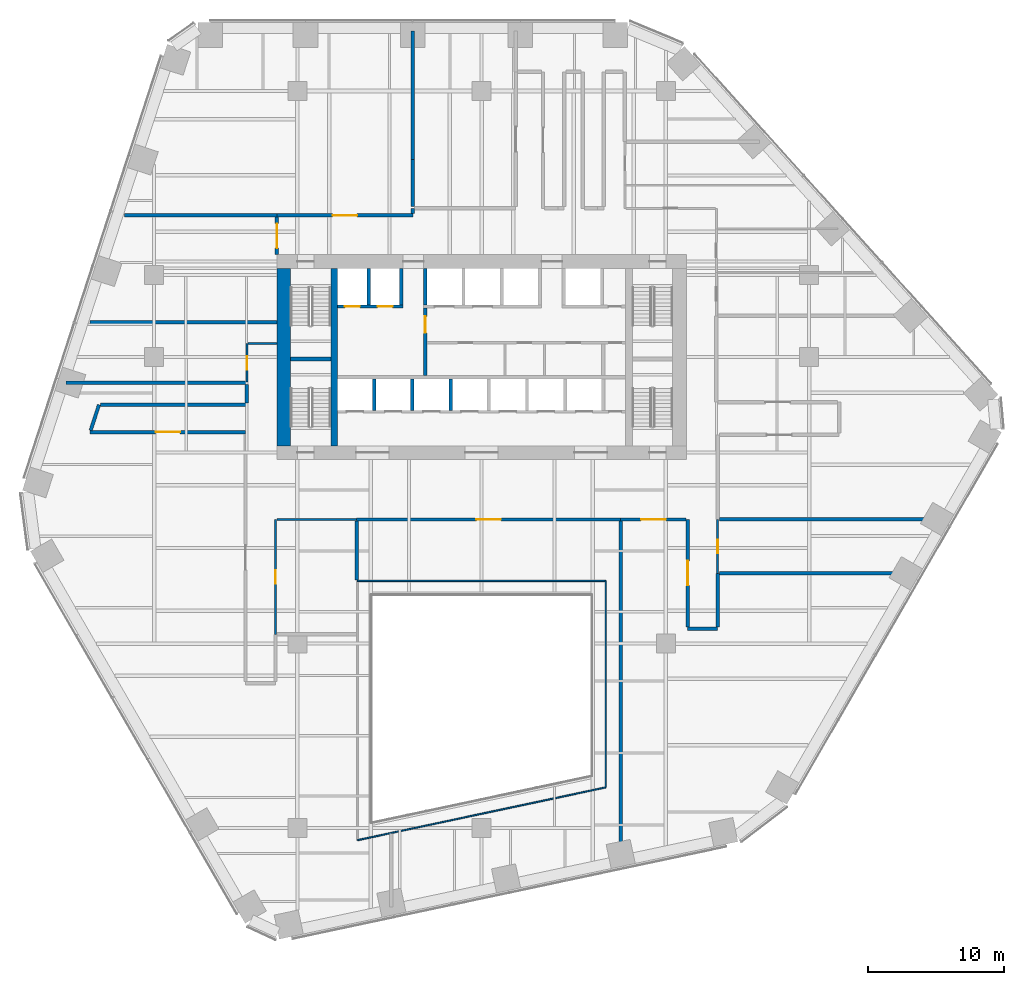
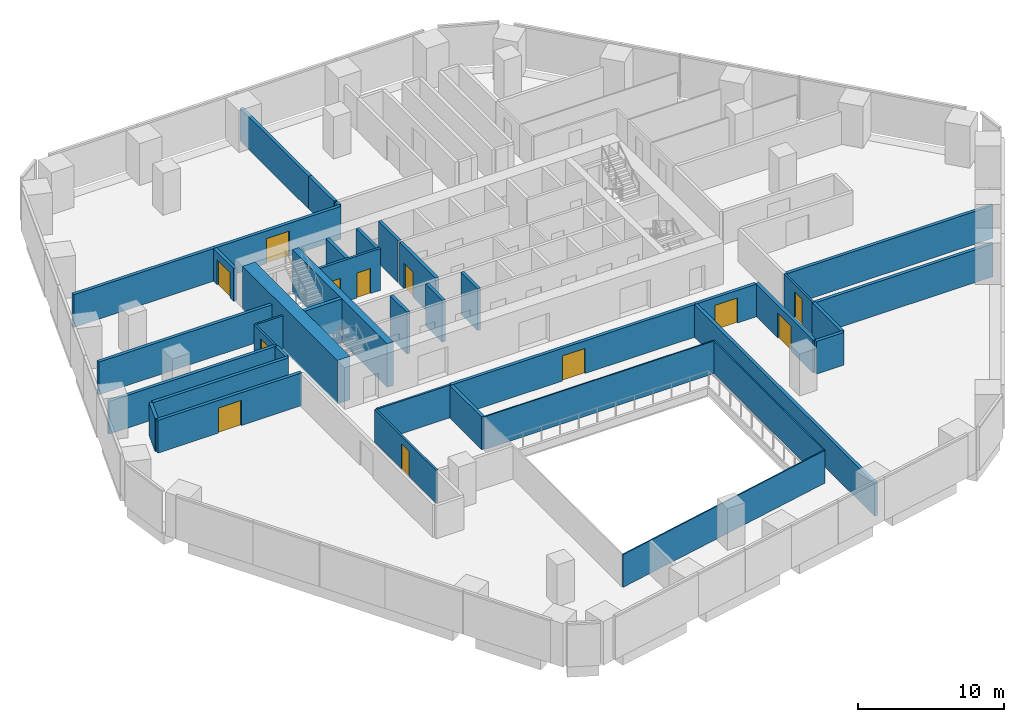
# One storey, part 14 of 21: 40 walls, 12 doors, 12 openings.
"""IFC4 building model written with IfcOpenShell, lengths in metres."""

from ifc_helpers import new_model, si_unit, direction, frame, frame_2d, origin, place, context, subcontext, project, spatial, rectangle, extrude, material, layer, layer_set, type_object, element, fill, save


model = new_model("IFC4")

# Units and contexts
model_context = context("Model", 3, precision=1e-05, world=origin(), true_north=direction((0.0, 1.0)))
body_context = subcontext(model_context, "Body", "Model", "MODEL_VIEW")
ifc_project = project(units=[si_unit("LENGTHUNIT", "METRE"), si_unit("AREAUNIT", "SQUARE_METRE"), si_unit("VOLUMEUNIT", "CUBIC_METRE"), si_unit("PLANEANGLEUNIT", "RADIAN"), si_unit("MASSUNIT", "GRAM", prefix="KILO")], contexts=[model_context])

# Site, building, storey
site_placement = place(None, origin())
site = spatial("IfcSite", under=ifc_project, at=site_placement, CompositionType="ELEMENT")
building_placement = place(site_placement, origin())
building = spatial("IfcBuilding", under=site, at=building_placement, Name="Isthmus Gate Tower", CompositionType="ELEMENT")
storey_placement = place(building_placement, frame((0.0, 0.0, 46.949951171875)))
storey = spatial("IfcBuildingStorey", under=building, at=storey_placement, Name="L09", CompositionType="ELEMENT", Elevation=46.949951171875)

# Wall, opening, door
ifc_material_1 = material(Name="Double-leaf acoustic stud wall, fire-rated", Category="gypsum")
ifc_layer_1 = layer(ifc_material_1, 0.25)
ifc_layer_set_1 = layer_set([ifc_layer_1], Name="ACOUSTIC WALL 250 60 MIN")
wall_type_1 = type_object("IfcWallType", Name="ACOUSTIC WALL 250 60 MIN", PredefinedType="PARTITIONING", material=ifc_layer_set_1)
wall_1_placement = place(storey_placement, frame((10.19189453125, -4.39990234375, 0.0), z_axis=(0.0, 0.0, 1.0), x_axis=(-1.0, 0.0, 0.0)))
wall_1 = element("IfcWall", 1, at=wall_1_placement, inside=storey, type_object=wall_type_1, Name="L09 Acoustic Wall 250 60 Min", PredefinedType="PARTITIONING", context=body_context, shape_type="SweptSolid", body=[
    extrude(rectangle(XDim=19.343994140625, YDim=0.25, at=frame_2d((9.671875, 0.0))), origin(), (0.0, 0.0, 1.0), 2.7412109375),
])
opening_1_placement = place(wall_1_placement, frame((8.77197265625, 0.0, 0.0)))
opening_1 = element("IfcOpeningElement", 2, at=opening_1_placement, cuts=wall_1, Name="Opening DT-T1B-16", PredefinedType="OPENING", context=body_context, shape_type="SweptSolid", body=[
    extrude(rectangle(XDim=1.800048828125, YDim=2.10009765625, at=frame_2d((0.89990234375, 1.050048828125))), frame((0.0, 0.135009765625, 0.0), z_axis=(0.0, -1.0, 0.0), x_axis=(1.0, 0.0, 0.0)), (0.0, 0.0, 1.0), 0.27001953125),
])
ifc_material_2 = material(Name="Solid core timber door leaf, fire-rated", Category="wood")
door_type_1 = type_object("IfcDoorType", Name="FIRE DOOR ACOUSTIC ROOM 1800 X 2100 60 MIN", OperationType="DOUBLE_DOOR_DOUBLE_SWING", PredefinedType="DOOR", material=ifc_material_2)
door_1_placement = place(opening_1_placement, origin())
door_1 = element("IfcDoor", 3, at=door_1_placement, inside=storey, type_object=door_type_1, Name="L09 room door", OperationType="DOUBLE_DOOR_DOUBLE_SWING", OverallHeight=2.10009765625, OverallWidth=1.800048828125, PredefinedType="DOOR", context=body_context, shape_type="SweptSolid", body=[
    extrude(rectangle(XDim=1.800048828125, YDim=2.10009765625, at=frame_2d((0.89990234375, 1.050048828125))), frame((0.0, 0.02490234375, 0.0), z_axis=(0.0, -1.0, 0.0), x_axis=(1.0, 0.0, 0.0)), (0.0, 0.0, 1.0), 0.050048828125),
])
fill(opening_1, door_1)

wall_2_placement = place(storey_placement, frame((14.97509765625, -4.39990234375, 0.0), z_axis=(0.0, 0.0, 1.0), x_axis=(-1.0, 0.0, 0.0)))
wall_2 = element("IfcWall", 4, at=wall_2_placement, inside=storey, type_object=wall_type_1, Name="L09 Acoustic Wall 250 60 Min", PredefinedType="PARTITIONING", context=body_context, shape_type="SweptSolid", body=[
    extrude(rectangle(XDim=4.783203125, YDim=0.25, at=frame_2d((2.3916015625, 0.0))), origin(), (0.0, 0.0, 1.0), 2.7412109375),
])
opening_2_placement = place(wall_2_placement, frame((1.47900390625, 0.0, 0.0)))
opening_2 = element("IfcOpeningElement", 5, at=opening_2_placement, cuts=wall_2, Name="Opening DT-T1B-18", PredefinedType="OPENING", context=body_context, shape_type="SweptSolid", body=[
    extrude(rectangle(XDim=1.800048828125, YDim=2.10009765625, at=frame_2d((0.89990234375, 1.050048828125))), frame((0.0, 0.135009765625, 0.0), z_axis=(0.0, -1.0, 0.0), x_axis=(1.0, 0.0, 0.0)), (0.0, 0.0, 1.0), 0.27001953125),
])
door_2_placement = place(opening_2_placement, origin())
door_2 = element("IfcDoor", 6, at=door_2_placement, inside=storey, type_object=door_type_1, Name="L09 room door", OperationType="DOUBLE_DOOR_DOUBLE_SWING", OverallHeight=2.10009765625, OverallWidth=1.800048828125, PredefinedType="DOOR", context=body_context, shape_type="SweptSolid", body=[
    extrude(rectangle(XDim=1.800048828125, YDim=2.10009765625, at=frame_2d((0.89990234375, 1.050048828125))), frame((0.0, 0.02490234375, 0.0), z_axis=(0.0, -1.0, 0.0), x_axis=(1.0, 0.0, 0.0)), (0.0, 0.0, 1.0), 0.050048828125),
])
fill(opening_2, door_2)

# Walls
wall_3_placement = place(storey_placement, frame((17.300048828125, -12.39990234375, 0.0), z_axis=(0.0, 0.0, 1.0), x_axis=(-1.0, 0.0, 0.0)))
element("IfcWall", 7, at=wall_3_placement, inside=storey, type_object=wall_type_1, Name="L09 Acoustic Wall 250 60 Min", PredefinedType="PARTITIONING", context=body_context, shape_type="SweptSolid", body=[
    extrude(rectangle(XDim=2.199951171875, YDim=0.25, at=frame_2d((1.10009765625, 0.0))), origin(), (0.0, 0.0, 1.0), 2.7412109375),
])
wall_4_placement = place(storey_placement, frame((17.300048828125, -8.35009765625, 0.0), z_axis=(0.0, 0.0, 1.0), x_axis=(0.0, -1.0, 0.0)))
element("IfcWall", 8, at=wall_4_placement, inside=storey, type_object=wall_type_1, Name="L09 Acoustic Wall 250 60 Min", PredefinedType="PARTITIONING", context=body_context, shape_type="SweptSolid", body=[
    extrude(rectangle(XDim=3.9248046875, YDim=0.25, at=frame_2d((1.96240234375, 0.0))), origin(), (0.0, 0.0, 1.0), 2.7412109375),
])

# Wall, opening, door
wall_5_placement = place(storey_placement, frame((-17.300048828125, 2.0, 0.0), z_axis=(0.0, 0.0, 1.0), x_axis=(-1.0, 0.0, 0.0)))
wall_5 = element("IfcWall", 9, at=wall_5_placement, inside=storey, type_object=wall_type_1, Name="L09 Acoustic Wall 250 60 Min", PredefinedType="PARTITIONING", context=body_context, shape_type="SweptSolid", body=[
    extrude(rectangle(XDim=11.386962890625, YDim=0.25, at=frame_2d((5.693359375, 0.0))), origin(), (0.0, 0.0, 1.0), 2.7412109375),
])
opening_3_placement = place(wall_5_placement, frame((4.79345703125, 0.0, 0.0)))
opening_3 = element("IfcOpeningElement", 10, at=opening_3_placement, cuts=wall_5, Name="Opening DT-T1B-15", PredefinedType="OPENING", context=body_context, shape_type="SweptSolid", body=[
    extrude(rectangle(XDim=1.800048828125, YDim=2.10009765625, at=frame_2d((0.89990234375, 1.050048828125))), frame((0.0, 0.135009765625, 0.0), z_axis=(0.0, -1.0, 0.0), x_axis=(1.0, 0.0, 0.0)), (0.0, 0.0, 1.0), 0.27001953125),
])
door_3_placement = place(opening_3_placement, origin())
door_3 = element("IfcDoor", 11, at=door_3_placement, inside=storey, type_object=door_type_1, Name="L09 room door", OperationType="DOUBLE_DOOR_DOUBLE_SWING", OverallHeight=2.10009765625, OverallWidth=1.800048828125, PredefinedType="DOOR", context=body_context, shape_type="SweptSolid", body=[
    extrude(rectangle(XDim=1.800048828125, YDim=2.10009765625, at=frame_2d((0.89990234375, 1.050048828125))), frame((0.0, 0.02490234375, 0.0), z_axis=(0.0, -1.0, 0.0), x_axis=(1.0, 0.0, 0.0)), (0.0, 0.0, 1.0), 0.050048828125),
])
fill(opening_3, door_3)

wall_6_placement = place(storey_placement, frame((-15.0, 17.881103515625, 0.0), z_axis=(0.0, 0.0, 1.0), x_axis=(0.999999975691, -0.000220496356, 0.0)))
wall_6 = element("IfcWall", 12, at=wall_6_placement, inside=storey, type_object=wall_type_1, Name="L09 Acoustic Wall 250 60 Min", PredefinedType="PARTITIONING", context=body_context, shape_type="SweptSolid", body=[
    extrude(rectangle(XDim=9.965087890625, YDim=0.25, at=frame_2d((4.982421875, 0.0))), origin(), (0.0, 0.0, 1.0), 2.7412109375),
])
opening_4_placement = place(wall_6_placement, frame((4.08251953125, 0.0, 0.0)))
opening_4 = element("IfcOpeningElement", 13, at=opening_4_placement, cuts=wall_6, Name="Opening DT-T1B-01", PredefinedType="OPENING", context=body_context, shape_type="SweptSolid", body=[
    extrude(rectangle(XDim=1.800048828125, YDim=2.10009765625, at=frame_2d((0.89990234375, 1.050048828125))), frame((0.0, 0.135009765625, 0.0), z_axis=(0.0, -1.0, 0.0), x_axis=(1.0, 0.0, 0.0)), (0.0, 0.0, 1.0), 0.27001953125),
])
door_4_placement = place(opening_4_placement, origin())
door_4 = element("IfcDoor", 14, at=door_4_placement, inside=storey, type_object=door_type_1, Name="L09 room door", OperationType="DOUBLE_DOOR_DOUBLE_SWING", OverallHeight=2.10009765625, OverallWidth=1.800048828125, PredefinedType="DOOR", context=body_context, shape_type="SweptSolid", body=[
    extrude(rectangle(XDim=1.800048828125, YDim=2.10009765625, at=frame_2d((0.89990234375, 1.050048828125))), frame((0.0, 0.02490234375, 0.0), z_axis=(0.0, -1.0, 0.0), x_axis=(1.0, 0.0, 0.0)), (0.0, 0.0, 1.0), 0.050048828125),
])
fill(opening_4, door_4)

# Walls
wall_7_placement = place(storey_placement, frame((-5.034912109375, 18.00390625, 0.0), z_axis=(0.0, 0.0, 1.0), x_axis=(0.0, 1.0, 0.0)))
element("IfcWall", 15, at=wall_7_placement, inside=storey, type_object=wall_type_1, Name="L09 Acoustic Wall 250 60 Min", PredefinedType="PARTITIONING", context=body_context, shape_type="SweptSolid", body=[
    extrude(rectangle(XDim=0.39599609375, YDim=0.25, at=frame_2d((0.197998046875, 0.0))), origin(), (0.0, 0.0, 1.0), 2.7412109375),
])
wall_8_placement = place(storey_placement, frame((-5.037109375, 21.968017578125, 0.0), z_axis=(0.0, 0.0, 1.0), x_axis=(0.0, 1.0, 0.0)))
element("IfcWall", 16, at=wall_8_placement, inside=storey, type_object=wall_type_1, Name="L09 Acoustic Wall 250 60 Min", PredefinedType="PARTITIONING", context=body_context, shape_type="SweptSolid", body=[
    extrude(rectangle(XDim=9.431884765625, YDim=0.25, at=frame_2d((4.7158203125, 0.0))), origin(), (0.0, 0.0, 1.0), 2.7412109375),
])
wall_9_placement = place(storey_placement, frame((-26.169921875, 17.8828125, 0.0), z_axis=(0.0, 0.0, 1.0), x_axis=(0.999999988296, -0.000152998774, 0.0)))
element("IfcWall", 17, at=wall_9_placement, inside=storey, type_object=wall_type_1, Name="L09 Acoustic Wall 250 60 Min", PredefinedType="PARTITIONING", context=body_context, shape_type="SweptSolid", body=[
    extrude(rectangle(XDim=11.169921875, YDim=0.25, at=frame_2d((5.5849609375, 0.0))), origin(), (0.0, 0.0, 1.0), 2.7412109375),
])
wall_10_placement = place(storey_placement, frame((-5.037109375, 21.968017578125, 0.0), z_axis=(0.0, 0.0, 1.0), x_axis=(0.000567255103, -0.999999839111, 0.0)))
element("IfcWall", 18, at=wall_10_placement, inside=storey, type_object=wall_type_1, Name="L09 Acoustic Wall 250 60 Min", PredefinedType="PARTITIONING", context=body_context, shape_type="SweptSolid", body=[
    extrude(rectangle(XDim=3.443115234375, YDim=0.25, at=frame_2d((1.7216796875, 0.0))), origin(), (0.0, 0.0, 1.0), 2.7412109375),
])

# Wall, opening, door
wall_11_placement = place(storey_placement, frame((-15.001953125, 14.998046875, 0.0), z_axis=(0.0, 0.0, 1.0), x_axis=(0.000708152429, 0.99999974926, 0.0)))
wall_11 = element("IfcWall", 19, at=wall_11_placement, inside=storey, type_object=wall_type_1, Name="L09 Acoustic Wall 250 60 Min", PredefinedType="PARTITIONING", context=body_context, shape_type="SweptSolid", body=[
    extrude(rectangle(XDim=2.758056640625, YDim=0.25, at=frame_2d((1.37890625, 0.0))), origin(), (0.0, 0.0, 1.0), 2.7412109375),
])
opening_5_placement = place(wall_11_placement, frame((0.47900390625, 0.0, 0.0)))
opening_5 = element("IfcOpeningElement", 20, at=opening_5_placement, cuts=wall_11, Name="Opening DT-T1B-07", PredefinedType="OPENING", context=body_context, shape_type="SweptSolid", body=[
    extrude(rectangle(XDim=1.800048828125, YDim=2.10009765625, at=frame_2d((0.89990234375, 1.050048828125))), frame((0.0, 0.135009765625, 0.0), z_axis=(0.0, -1.0, 0.0), x_axis=(1.0, 0.0, 0.0)), (0.0, 0.0, 1.0), 0.27001953125),
])
door_5_placement = place(opening_5_placement, origin())
door_5 = element("IfcDoor", 21, at=door_5_placement, inside=storey, type_object=door_type_1, Name="L09 room door", OperationType="DOUBLE_DOOR_DOUBLE_SWING", OverallHeight=2.10009765625, OverallWidth=1.800048828125, PredefinedType="DOOR", context=body_context, shape_type="SweptSolid", body=[
    extrude(rectangle(XDim=1.800048828125, YDim=2.10009765625, at=frame_2d((0.89990234375, 1.050048828125))), frame((0.0, 0.02490234375, 0.0), z_axis=(0.0, -1.0, 0.0), x_axis=(1.0, 0.0, 0.0)), (0.0, 0.0, 1.0), 0.050048828125),
])
fill(opening_5, door_5)

# Walls
wall_12_placement = place(storey_placement, frame((-28.714111328125, 10.052001953125, 0.0), z_axis=(0.0, 0.0, 1.0), x_axis=(1.0, 0.0, 0.0)))
element("IfcWall", 22, at=wall_12_placement, inside=storey, type_object=wall_type_1, Name="L09 Acoustic Wall 250 60 Min", PredefinedType="PARTITIONING", context=body_context, shape_type="SweptSolid", body=[
    extrude(rectangle(XDim=13.714111328125, YDim=0.25, at=frame_2d((6.85693359375, 0.0))), origin(), (0.0, 0.0, 1.0), 2.7412109375),
])
wall_13_placement = place(storey_placement, frame((-30.450927734375, 5.6298828125, 0.0), z_axis=(0.0, 0.0, 1.0), x_axis=(1.0, 0.0, 0.0)))
element("IfcWall", 23, at=wall_13_placement, inside=storey, type_object=wall_type_1, Name="L09 Acoustic Wall 250 60 Min", PredefinedType="PARTITIONING", context=body_context, shape_type="SweptSolid", body=[
    extrude(rectangle(XDim=13.176025390625, YDim=0.25, at=frame_2d((6.587890625, 0.0))), origin(), (0.0, 0.0, 1.0), 2.7412109375),
])
wall_14_placement = place(storey_placement, frame((17.427001953125, -4.3720703125, 0.0), z_axis=(0.0, 0.0, 1.0), x_axis=(1.0, 0.0, 0.0)))
element("IfcWall", 24, at=wall_14_placement, inside=storey, type_object=wall_type_1, Name="L09 Acoustic Wall 250 60 Min", PredefinedType="PARTITIONING", context=body_context, shape_type="SweptSolid", body=[
    extrude(rectangle(XDim=16.305908203125, YDim=0.25, at=frame_2d((8.15283203125, 0.0))), origin(), (0.0, 0.0, 1.0), 2.7412109375),
])
wall_15_placement = place(storey_placement, frame((-9.152099609375, -8.85205078125, 0.0), z_axis=(0.0, 0.0, 1.0), x_axis=(0.0, 1.0, 0.0)))
element("IfcWall", 25, at=wall_15_placement, inside=storey, type_object=wall_type_1, Name="L09 Acoustic Wall 250 60 Min", PredefinedType="PARTITIONING", context=body_context, shape_type="SweptSolid", body=[
    extrude(rectangle(XDim=4.3271484375, YDim=0.25, at=frame_2d((2.16357421875, 0.0))), origin(), (0.0, 0.0, 1.0), 2.7412109375),
])
wall_16_placement = place(storey_placement, frame((17.425048828125, -8.35009765625, 0.0), z_axis=(0.0, 0.0, 1.0), x_axis=(1.0, 0.0, 0.0)))
element("IfcWall", 26, at=wall_16_placement, inside=storey, type_object=wall_type_1, Name="L09 Acoustic Wall 250 60 Min", PredefinedType="PARTITIONING", context=body_context, shape_type="SweptSolid", body=[
    extrude(rectangle(XDim=14.011962890625, YDim=0.25, at=frame_2d((7.005859375, 0.0))), origin(), (0.0, 0.0, 1.0), 2.7412109375),
])
wall_17_placement = place(storey_placement, frame((-28.646484375, 2.125, 0.0), z_axis=(0.0, 0.0, 1.0), x_axis=(0.309086072338, 0.951034068731, 0.0)))
element("IfcWall", 27, at=wall_17_placement, inside=storey, type_object=wall_type_1, Name="L09 Acoustic Wall 250 60 Min", PredefinedType="PARTITIONING", context=body_context, shape_type="SweptSolid", body=[
    extrude(rectangle(XDim=1.971435546875, YDim=0.25, at=frame_2d((0.98583984375, 0.0))), origin(), (0.0, 0.0, 1.0), 2.7412109375),
])
wall_18_placement = place(storey_placement, frame((-27.912109375, 4.0, 0.0), z_axis=(0.0, 0.0, 1.0), x_axis=(1.0, 0.0, 0.0)))
element("IfcWall", 28, at=wall_18_placement, inside=storey, type_object=wall_type_1, Name="L09 Acoustic Wall 250 60 Min", PredefinedType="PARTITIONING", context=body_context, shape_type="SweptSolid", body=[
    extrude(rectangle(XDim=10.712158203125, YDim=0.25, at=frame_2d((5.35595703125, 0.0))), origin(), (0.0, 0.0, 1.0), 2.7412109375),
])
wall_19_placement = place(storey_placement, frame((-17.199951171875, 4.125, 0.0), z_axis=(0.0, 0.0, 1.0), x_axis=(0.0, 1.0, 0.0)))
element("IfcWall", 29, at=wall_19_placement, inside=storey, type_object=wall_type_1, Name="L09 Acoustic Wall 250 60 Min", PredefinedType="PARTITIONING", context=body_context, shape_type="SweptSolid", body=[
    extrude(rectangle(XDim=1.3798828125, YDim=0.25, at=frame_2d((0.68994140625, 0.0))), origin(), (0.0, 0.0, 1.0), 2.7412109375),
])
wall_20_placement = place(storey_placement, frame((10.19189453125, -29.219970703125, 0.0), z_axis=(0.0, 0.0, 1.0), x_axis=(0.0, 1.0, 0.0)))
element("IfcWall", 30, at=wall_20_placement, inside=storey, type_object=wall_type_1, Name="L09 Acoustic Wall 250 60 Min", PredefinedType="PARTITIONING", context=body_context, shape_type="SweptSolid", body=[
    extrude(rectangle(XDim=24.695068359375, YDim=0.25, at=frame_2d((12.34765625, 0.0))), origin(), (0.0, 0.0, 1.0), 2.7412109375),
])

# Wall, opening, door
wall_21_placement = place(storey_placement, frame((15.10009765625, -12.27490234375, 0.0), z_axis=(0.0, 0.0, 1.0), x_axis=(0.0, 1.0, 0.0)))
wall_21 = element("IfcWall", 31, at=wall_21_placement, inside=storey, type_object=wall_type_1, Name="L09 Acoustic Wall 250 60 Min", PredefinedType="PARTITIONING", context=body_context, shape_type="SweptSolid", body=[
    extrude(rectangle(XDim=7.875, YDim=0.25, at=frame_2d((3.9375, 0.0))), origin(), (0.0, 0.0, 1.0), 2.7412109375),
])
opening_6_placement = place(wall_21_placement, frame((3.03759765625, 0.0, 0.0)))
opening_6 = element("IfcOpeningElement", 32, at=opening_6_placement, cuts=wall_21, Name="Opening DT-T1B-17", PredefinedType="OPENING", context=body_context, shape_type="SweptSolid", body=[
    extrude(rectangle(XDim=1.800048828125, YDim=2.10009765625, at=frame_2d((0.89990234375, 1.050048828125))), frame((0.0, 0.135009765625, 0.0), z_axis=(0.0, -1.0, 0.0), x_axis=(1.0, 0.0, 0.0)), (0.0, 0.0, 1.0), 0.27001953125),
])
door_6_placement = place(opening_6_placement, origin())
door_6 = element("IfcDoor", 33, at=door_6_placement, inside=storey, type_object=door_type_1, Name="L09 room door", OperationType="DOUBLE_DOOR_DOUBLE_SWING", OverallHeight=2.10009765625, OverallWidth=1.800048828125, PredefinedType="DOOR", context=body_context, shape_type="SweptSolid", body=[
    extrude(rectangle(XDim=1.800048828125, YDim=2.10009765625, at=frame_2d((0.89990234375, 1.050048828125))), frame((0.0, 0.02490234375, 0.0), z_axis=(0.0, -1.0, 0.0), x_axis=(1.0, 0.0, 0.0)), (0.0, 0.0, 1.0), 0.050048828125),
])
fill(opening_6, door_6)

# Walls
ifc_material_3 = material(Name="Fire-rated laminated glass in steel frame", Category="steel")
ifc_layer_2 = layer(ifc_material_3, 0.10009765625)
ifc_layer_set_2 = layer_set([ifc_layer_2], Name="ATRIUM SCREEN GLAZED WALL 100 120 MIN")
wall_type_2 = type_object("IfcWallType", Name="ATRIUM SCREEN GLAZED WALL 100 120 MIN", PredefinedType="PARTITIONING", material=ifc_layer_set_2)
wall_22_placement = place(storey_placement, frame((-9.10009765625, -8.89990234375, 0.0), z_axis=(0.0, 0.0, 1.0), x_axis=(1.0, 0.0, 0.0)))
element("IfcWall", 34, at=wall_22_placement, inside=storey, type_object=wall_type_2, Name="L09 atrium screen", PredefinedType="PARTITIONING", context=body_context, shape_type="SweptSolid", body=[
    extrude(rectangle(XDim=18.2001953125, YDim=0.10009765625, at=frame_2d((9.10009765625, 0.0))), origin(), (0.0, 0.0, 1.0), 2.7412109375),
])
wall_23_placement = place(storey_placement, frame((9.10009765625, -8.89990234375, 0.0), z_axis=(0.0, 0.0, 1.0), x_axis=(0.0, -1.0, 0.0)))
element("IfcWall", 35, at=wall_23_placement, inside=storey, type_object=wall_type_2, Name="L09 atrium screen", PredefinedType="PARTITIONING", context=body_context, shape_type="SweptSolid", body=[
    extrude(rectangle(XDim=15.134033203125, YDim=0.10009765625, at=frame_2d((7.56689453125, 0.0))), origin(), (0.0, 0.0, 1.0), 2.7412109375),
])
wall_24_placement = place(storey_placement, frame((9.10009765625, -24.033935546875, 0.0), z_axis=(0.0, 0.0, 1.0), x_axis=(-0.978146710971, -0.207915876778, 0.0)))
element("IfcWall", 36, at=wall_24_placement, inside=storey, type_object=wall_type_2, Name="L09 atrium screen", PredefinedType="PARTITIONING", context=body_context, shape_type="SweptSolid", body=[
    extrude(rectangle(XDim=18.60693359375, YDim=0.10009765625, at=frame_2d((9.303466796875, 0.0))), origin(), (0.0, 0.0, 1.0), 2.7412109375),
])
ifc_material_4 = material(Name="Gypsum board on steel studs, fire-rated", Category="steel")
ifc_layer_3 = layer(ifc_material_4, 0.14990234375)
ifc_layer_set_3 = layer_set([ifc_layer_3], Name="CORRIDOR WALL 150 60 MIN")
wall_type_3 = type_object("IfcWallType", Name="CORRIDOR WALL 150 60 MIN", PredefinedType="PARTITIONING", material=ifc_layer_set_3)
wall_25_placement = place(storey_placement, frame((-9.152099609375, -4.39990234375, 0.0), z_axis=(0.0, 0.0, 1.0), x_axis=(-1.0, 0.0, 0.0)))
element("IfcWall", 37, at=wall_25_placement, inside=storey, type_object=wall_type_3, Name="L09 Corridor Wall 150 60 Min", PredefinedType="PARTITIONING", context=body_context, shape_type="SweptSolid", body=[
    extrude(rectangle(XDim=5.847900390625, YDim=0.14990234375, at=frame_2d((2.923828125, 0.0))), origin(), (0.0, 0.0, 1.0), 2.7412109375),
])

# Wall, opening, door
wall_26_placement = place(storey_placement, frame((17.300048828125, -4.389892578125, 0.0), z_axis=(0.0, 0.0, 1.0), x_axis=(0.0, -1.0, 0.0)))
wall_26 = element("IfcWall", 38, at=wall_26_placement, inside=storey, type_object=wall_type_3, Name="L09 Corridor Wall 150 60 Min", PredefinedType="PARTITIONING", context=body_context, shape_type="SweptSolid", body=[
    extrude(rectangle(XDim=3.960205078125, YDim=0.14990234375, at=frame_2d((1.97998046875, 0.0))), origin(), (0.0, 0.0, 1.0), 2.7412109375),
])
opening_7_placement = place(wall_26_placement, frame((1.47998046875, 0.0, 0.0)))
opening_7 = element("IfcOpeningElement", 39, at=opening_7_placement, cuts=wall_26, Name="Opening DT-T1B-13", PredefinedType="OPENING", context=body_context, shape_type="SweptSolid", body=[
    extrude(rectangle(XDim=1.0, YDim=2.10009765625, at=frame_2d((0.5, 1.050048828125))), frame((0.0, 0.0849609375, 0.0), z_axis=(0.0, -1.0, 0.0), x_axis=(1.0, 0.0, 0.0)), (0.0, 0.0, 1.0), 0.169921875),
])
ifc_material_5 = material(Name="Solid core timber door leaf, fire-rated", Category="wood")
door_type_2 = type_object("IfcDoorType", Name="FIRE DOOR ROOM 1000 X 2100 60 MIN", OperationType="SINGLE_SWING_LEFT", PredefinedType="DOOR", material=ifc_material_5)
door_7_placement = place(opening_7_placement, origin())
door_7 = element("IfcDoor", 40, at=door_7_placement, inside=storey, type_object=door_type_2, Name="L09 room door", OperationType="SINGLE_SWING_RIGHT", OverallHeight=2.10009765625, OverallWidth=1.0, PredefinedType="DOOR", context=body_context, shape_type="SweptSolid", body=[
    extrude(rectangle(XDim=1.0, YDim=2.10009765625, at=frame_2d((0.5, 1.050048828125))), frame((0.0, 0.02490234375, 0.0), z_axis=(0.0, -1.0, 0.0), x_axis=(1.0, 0.0, 0.0)), (0.0, 0.0, 1.0), 0.050048828125),
])
fill(opening_7, door_7)

wall_27_placement = place(storey_placement, frame((-15.10009765625, -4.39990234375, 0.0), z_axis=(0.0, 0.0, 1.0), x_axis=(0.0, -1.0, 0.0)))
wall_27 = element("IfcWall", 41, at=wall_27_placement, inside=storey, type_object=wall_type_3, Name="L09 Corridor Wall 150 60 Min", PredefinedType="PARTITIONING", context=body_context, shape_type="SweptSolid", body=[
    extrude(rectangle(XDim=8.426025390625, YDim=0.14990234375, at=frame_2d((4.212890625, 0.0))), origin(), (0.0, 0.0, 1.0), 2.7412109375),
])
opening_8_placement = place(wall_27_placement, frame((3.712890625, 0.0, 0.0)))
opening_8 = element("IfcOpeningElement", 42, at=opening_8_placement, cuts=wall_27, Name="Opening DT-T1B-12", PredefinedType="OPENING", context=body_context, shape_type="SweptSolid", body=[
    extrude(rectangle(XDim=1.0, YDim=2.10009765625, at=frame_2d((0.5, 1.050048828125))), frame((0.0, 0.0849609375, 0.0), z_axis=(0.0, -1.0, 0.0), x_axis=(1.0, 0.0, 0.0)), (0.0, 0.0, 1.0), 0.169921875),
])
door_8_placement = place(opening_8_placement, origin())
door_8 = element("IfcDoor", 43, at=door_8_placement, inside=storey, type_object=door_type_2, Name="L09 room door", OperationType="SINGLE_SWING_RIGHT", OverallHeight=2.10009765625, OverallWidth=1.0, PredefinedType="DOOR", context=body_context, shape_type="SweptSolid", body=[
    extrude(rectangle(XDim=1.0, YDim=2.10009765625, at=frame_2d((0.5, 1.050048828125))), frame((0.0, 0.02490234375, 0.0), z_axis=(0.0, -1.0, 0.0), x_axis=(1.0, 0.0, 0.0)), (0.0, 0.0, 1.0), 0.050048828125),
])
fill(opening_8, door_8)

wall_28_placement = place(storey_placement, frame((-17.199951171875, 5.679931640625, 0.0), z_axis=(0.0, 0.0, 1.0), x_axis=(0.0, 1.0, 0.0)))
wall_28 = element("IfcWall", 44, at=wall_28_placement, inside=storey, type_object=wall_type_3, Name="L09 Corridor Wall 150 60 Min", PredefinedType="PARTITIONING", context=body_context, shape_type="SweptSolid", body=[
    extrude(rectangle(XDim=2.820068359375, YDim=0.14990234375, at=frame_2d((1.41015625, 0.0))), origin(), (0.0, 0.0, 1.0), 2.7412109375),
])
opening_9_placement = place(wall_28_placement, frame((0.885009765625, 0.0, 0.0)))
opening_9 = element("IfcOpeningElement", 45, at=opening_9_placement, cuts=wall_28, Name="Opening DT-T1B-09", PredefinedType="OPENING", context=body_context, shape_type="SweptSolid", body=[
    extrude(rectangle(XDim=1.0, YDim=2.10009765625, at=frame_2d((0.5, 1.050048828125))), frame((0.0, 0.0849609375, 0.0), z_axis=(0.0, -1.0, 0.0), x_axis=(1.0, 0.0, 0.0)), (0.0, 0.0, 1.0), 0.169921875),
])
door_9_placement = place(opening_9_placement, origin())
door_9 = element("IfcDoor", 46, at=door_9_placement, inside=storey, type_object=door_type_2, Name="L09 room door", OperationType="SINGLE_SWING_RIGHT", OverallHeight=2.10009765625, OverallWidth=1.0, PredefinedType="DOOR", context=body_context, shape_type="SweptSolid", body=[
    extrude(rectangle(XDim=1.0, YDim=2.10009765625, at=frame_2d((0.5, 1.050048828125))), frame((0.0, 0.02490234375, 0.0), z_axis=(0.0, -1.0, 0.0), x_axis=(1.0, 0.0, 0.0)), (0.0, 0.0, 1.0), 0.050048828125),
])
fill(opening_9, door_9)

# Wall
wall_29_placement = place(storey_placement, frame((-17.125, 8.5, 0.0), z_axis=(0.0, 0.0, 1.0), x_axis=(1.0, 0.0, 0.0)))
element("IfcWall", 47, at=wall_29_placement, inside=storey, type_object=wall_type_3, Name="L09 Corridor Wall 150 60 Min", PredefinedType="PARTITIONING", context=body_context, shape_type="SweptSolid", body=[
    extrude(rectangle(XDim=2.125, YDim=0.14990234375, at=frame_2d((1.0625, 0.0))), origin(), (0.0, 0.0, 1.0), 2.7412109375),
])

# Wall, opening, door
ifc_material_6 = material(Name="Fire-rated blockwork masonry, 15 MPa", Category="masonry")
ifc_layer_4 = layer(ifc_material_6, 0.25)
ifc_layer_set_4 = layer_set([ifc_layer_4], Name="FIRE-FIGHTING LOBBY WALL 250 90 MIN")
wall_type_4 = type_object("IfcWallType", Name="FIRE-FIGHTING LOBBY WALL 250 90 MIN", PredefinedType="PARTITIONING", material=ifc_layer_set_4)
wall_30_placement = place(storey_placement, frame((-4.125, 6.14990234375, 0.0), z_axis=(0.0, 0.0, 1.0), x_axis=(0.0, 1.0, 0.0)))
wall_30 = element("IfcWall", 48, at=wall_30_placement, inside=storey, type_object=wall_type_4, Name="L09 FIRE-FIGHTING LOBBY WALL 250 90 MIN", PredefinedType="PARTITIONING", context=body_context, shape_type="SweptSolid", body=[
    extrude(rectangle(XDim=4.9501953125, YDim=0.25, at=frame_2d((2.47509765625, 0.0))), origin(), (0.0, 0.0, 1.0), 3.5),
])
opening_10_placement = place(wall_30_placement, frame((3.125, 0.0, 0.0)))
opening_10 = element("IfcOpeningElement", 49, at=opening_10_placement, cuts=wall_30, Name="Opening DC-A02-01", PredefinedType="OPENING", context=body_context, shape_type="SweptSolid", body=[
    extrude(rectangle(XDim=1.199951171875, YDim=2.10009765625, at=frame_2d((0.60009765625, 1.050048828125))), frame((0.0, 0.135009765625, 0.0), z_axis=(0.0, -1.0, 0.0), x_axis=(1.0, 0.0, 0.0)), (0.0, 0.0, 1.0), 0.27001953125),
])
ifc_material_7 = material(Name="Steel door leaf, fire-rated", Category="steel")
door_type_3 = type_object("IfcDoorType", Name="LOBBY FIRE DOOR 1200 X 2100 90 MIN", OperationType="DOUBLE_DOOR_SINGLE_SWING", PredefinedType="DOOR", material=ifc_material_7)
door_10_placement = place(opening_10_placement, origin())
door_10 = element("IfcDoor", 50, at=door_10_placement, inside=storey, type_object=door_type_3, Name="Fire-fighting Lobby Door", OperationType="SINGLE_SWING_LEFT", OverallHeight=2.10009765625, OverallWidth=1.199951171875, PredefinedType="DOOR", context=body_context, shape_type="SweptSolid", body=[
    extrude(rectangle(XDim=1.199951171875, YDim=2.10009765625, at=frame_2d((0.60009765625, 1.050048828125))), frame((0.0, 0.02490234375, 0.0), z_axis=(0.0, -1.0, 0.0), x_axis=(1.0, 0.0, 0.0)), (0.0, 0.0, 1.0), 0.050048828125),
])
fill(opening_10, door_10)

# Walls
ifc_material_8 = material(Name="Concrete f'c 70 MPa", Category="concrete")
ifc_layer_5 = layer(ifc_material_8, 0.5)
ifc_layer_set_5 = layer_set([ifc_layer_5], Name="RC CORE SPINE WALL 500 F'C 70")
wall_type_5 = type_object("IfcWallType", Name="RC CORE SPINE WALL 500 F'C 70", PredefinedType="SOLIDWALL", material=ifc_layer_set_5)
wall_31_placement = place(storey_placement, frame((-10.800048828125, 1.0, -0.14990234375), z_axis=(0.0, 0.0, 1.0), x_axis=(0.0, 1.0, 0.0)))
element("IfcWall", 51, at=wall_31_placement, inside=storey, type_object=wall_type_5, Name="str-corewall-L09-SPW", PredefinedType="SOLIDWALL", context=body_context, shape_type="SweptSolid", body=[
    extrude(rectangle(XDim=13.0, YDim=0.5, at=frame_2d((6.5, 0.0))), origin(), (0.0, 0.0, 1.0), 3.64990234375),
])
ifc_material_9 = material(Name="Concrete f'c 70 MPa", Category="concrete")
ifc_layer_6 = layer(ifc_material_9, 1.0)
ifc_layer_set_6 = layer_set([ifc_layer_6], Name="RC CORE WALL 1000 F'C 70")
wall_type_6 = type_object("IfcWallType", Name="RC CORE WALL 1000 F'C 70", PredefinedType="SOLIDWALL", material=ifc_layer_set_6)
wall_32_placement = place(storey_placement, frame((-14.5, 1.0, -0.14990234375), z_axis=(0.0, 0.0, 1.0), x_axis=(0.0, 1.0, 0.0)))
element("IfcWall", 52, at=wall_32_placement, inside=storey, type_object=wall_type_6, Name="str-corewall-L09-W", PredefinedType="SOLIDWALL", context=body_context, shape_type="SweptSolid", body=[
    extrude(rectangle(XDim=13.0, YDim=1.0, at=frame_2d((6.5, 0.0))), origin(), (0.0, 0.0, 1.0), 3.64990234375),
])

# Wall, openings, doors
ifc_material_10 = material(Name="Fire-rated blockwork masonry, 15 MPa", Category="masonry")
ifc_layer_7 = layer(ifc_material_10, 0.199951171875)
ifc_layer_set_7 = layer_set([ifc_layer_7], Name="SHAFT FRONT WALL 200 120 MIN")
wall_type_7 = type_object("IfcWallType", Name="SHAFT FRONT WALL 200 120 MIN", PredefinedType="PARTITIONING", material=ifc_layer_set_7)
wall_33_placement = place(storey_placement, frame((-10.550048828125, 11.199951171875, 0.0), z_axis=(0.0, 0.0, 1.0), x_axis=(1.0, 0.0, 0.0)))
wall_33 = element("IfcWall", 53, at=wall_33_placement, inside=storey, type_object=wall_type_7, Name="L09 SHAFT FRONT WALL 200 120 MIN", PredefinedType="PARTITIONING", context=body_context, shape_type="SweptSolid", body=[
    extrude(rectangle(XDim=4.800048828125, YDim=0.199951171875, at=frame_2d((2.39990234375, 0.0))), origin(), (0.0, 0.0, 1.0), 3.5),
])
opening_11_placement = place(wall_33_placement, frame((0.52490234375, 0.0, 0.0)))
opening_11 = element("IfcOpeningElement", 54, at=opening_11_placement, cuts=wall_33, Name="Opening LD-LF1", PredefinedType="OPENING", context=body_context, shape_type="SweptSolid", body=[
    extrude(rectangle(XDim=1.10009765625, YDim=2.10009765625, at=frame_2d((0.550048828125, 1.050048828125))), frame((0.0, 0.10986328125, 0.0), z_axis=(0.0, -1.0, 0.0), x_axis=(1.0, 0.0, 0.0)), (0.0, 0.0, 1.0), 0.219970703125),
])
opening_12_placement = place(wall_33_placement, frame((2.925048828125, 0.0, 0.0)))
opening_12 = element("IfcOpeningElement", 55, at=opening_12_placement, cuts=wall_33, Name="Opening LD-LF2", PredefinedType="OPENING", context=body_context, shape_type="SweptSolid", body=[
    extrude(rectangle(XDim=1.10009765625, YDim=2.10009765625, at=frame_2d((0.550048828125, 1.050048828125))), frame((0.0, 0.10986328125, 0.0), z_axis=(0.0, -1.0, 0.0), x_axis=(1.0, 0.0, 0.0)), (0.0, 0.0, 1.0), 0.219970703125),
])
ifc_material_11 = material(Name="Stainless steel sliding leaf", Category="steel")
door_type_4 = type_object("IfcDoorType", Name="LIFT LANDING FIRE DOOR 1100 X 2100 90 MIN", OperationType="DOUBLE_DOOR_SLIDING", PredefinedType="DOOR", material=ifc_material_11)
door_11_placement = place(opening_11_placement, origin())
door_11 = element("IfcDoor", 56, at=door_11_placement, inside=storey, type_object=door_type_4, Name="Lift Landing Door LF1", OperationType="DOUBLE_DOOR_SLIDING", OverallHeight=2.10009765625, OverallWidth=1.10009765625, PredefinedType="DOOR", context=body_context, shape_type="SweptSolid", body=[
    extrude(rectangle(XDim=1.10009765625, YDim=2.10009765625, at=frame_2d((0.550048828125, 1.050048828125))), frame((0.0, 0.02490234375, 0.0), z_axis=(0.0, -1.0, 0.0), x_axis=(1.0, 0.0, 0.0)), (0.0, 0.0, 1.0), 0.050048828125),
])
fill(opening_11, door_11)
door_12_placement = place(opening_12_placement, origin())
door_12 = element("IfcDoor", 57, at=door_12_placement, inside=storey, type_object=door_type_4, Name="Lift Landing Door LF2", OperationType="DOUBLE_DOOR_SLIDING", OverallHeight=2.10009765625, OverallWidth=1.10009765625, PredefinedType="DOOR", context=body_context, shape_type="SweptSolid", body=[
    extrude(rectangle(XDim=1.10009765625, YDim=2.10009765625, at=frame_2d((0.550048828125, 1.050048828125))), frame((0.0, 0.02490234375, 0.0), z_axis=(0.0, -1.0, 0.0), x_axis=(1.0, 0.0, 0.0)), (0.0, 0.0, 1.0), 0.050048828125),
])
fill(opening_12, door_12)

# Walls
ifc_material_12 = material(Name="Fire-rated blockwork masonry, 15 MPa", Category="masonry")
ifc_layer_8 = layer(ifc_material_12, 0.25)
ifc_layer_set_8 = layer_set([ifc_layer_8], Name="SHAFT WALL 250 120 MIN")
wall_type_8 = type_object("IfcWallType", Name="SHAFT WALL 250 120 MIN", PredefinedType="PARTITIONING", material=ifc_layer_set_8)
for number, where, z_axis, x_axis, name in (
    (58, (-7.875, 3.60009765625, 0.0), (0.0, 0.0, 1.0), (0.0, 1.0, 0.0), "L09 SHAFT WALL 250 120 MIN"),
    (59, (-5.074951171875, 3.60009765625, 0.0), (0.0, 0.0, 1.0), (0.0, 1.0, 0.0), "L09 SHAFT WALL 250 120 MIN"),
    (60, (-2.27490234375, 3.60009765625, 0.0), (0.0, 0.0, 1.0), (0.0, 1.0, 0.0), "L09 SHAFT WALL 250 120 MIN"),
):
    element("IfcWall", number, at=place(storey_placement, frame(where, z_axis=z_axis, x_axis=x_axis)), inside=storey, type_object=wall_type_8, Name=name, PredefinedType="PARTITIONING", context=body_context, shape_type="SweptSolid", body=[
        extrude(rectangle(XDim=2.2998046875, YDim=0.25, at=frame_2d((1.14990234375, 0.0))), origin(), (0.0, 0.0, 1.0), 3.5),
    ])
for number, where, z_axis, x_axis, name in (
    (61, (-8.27490234375, 11.300048828125, 0.0), (0.0, 0.0, 1.0), (0.0, 1.0, 0.0), "L09 SHAFT WALL 250 120 MIN"),
    (62, (-5.875, 11.300048828125, 0.0), (0.0, 0.0, 1.0), (0.0, 1.0, 0.0), "L09 SHAFT WALL 250 120 MIN"),
    (63, (-4.125, 11.300048828125, 0.0), (0.0, 0.0, 1.0), (0.0, 1.0, 0.0), "L09 SHAFT WALL 250 120 MIN"),
):
    element("IfcWall", number, at=place(storey_placement, frame(where, z_axis=z_axis, x_axis=x_axis)), inside=storey, type_object=wall_type_8, Name=name, PredefinedType="PARTITIONING", context=body_context, shape_type="SweptSolid", body=[
        extrude(rectangle(XDim=2.699951171875, YDim=0.25, at=frame_2d((1.35009765625, 0.0))), origin(), (0.0, 0.0, 1.0), 3.5),
    ])
ifc_material_13 = material(Name="Concrete f'c 40 MPa", Category="concrete")
ifc_layer_9 = layer(ifc_material_13, 0.300048828125)
ifc_layer_set_9 = layer_set([ifc_layer_9], Name="STAIR ENCLOSURE WALL 300 180 MIN")
wall_type_9 = type_object("IfcWallType", Name="STAIR ENCLOSURE WALL 300 180 MIN", PredefinedType="SOLIDWALL", material=ifc_layer_set_9)
wall_34_placement = place(storey_placement, frame((-14.0, 7.35009765625, -0.14990234375), z_axis=(0.0, 0.0, 1.0), x_axis=(1.0, 0.0, 0.0)))
element("IfcWall", 64, at=wall_34_placement, inside=storey, type_object=wall_type_9, Name="L09 STAIR ENCLOSURE WALL 300 180 MIN", PredefinedType="SOLIDWALL", context=body_context, shape_type="SweptSolid", body=[
    extrude(rectangle(XDim=2.949951171875, YDim=0.300048828125, at=frame_2d((1.47509765625, 0.0))), origin(), (0.0, 0.0, 1.0), 3.64990234375),
])

save(model, "model.ifc")
